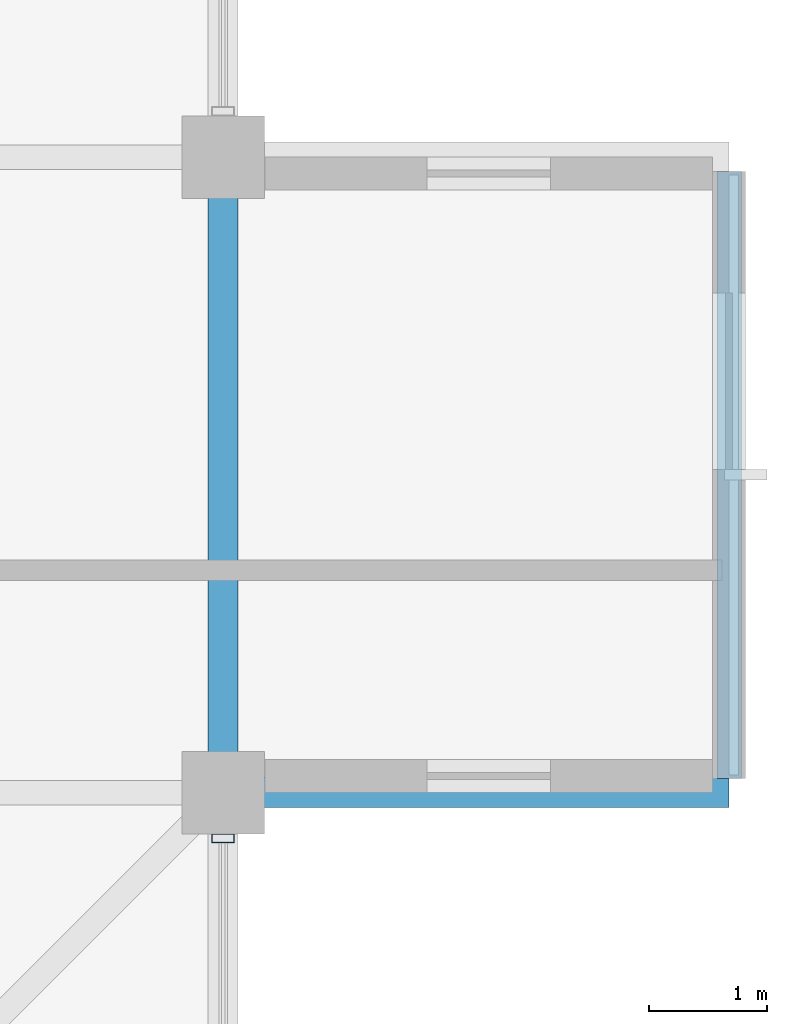
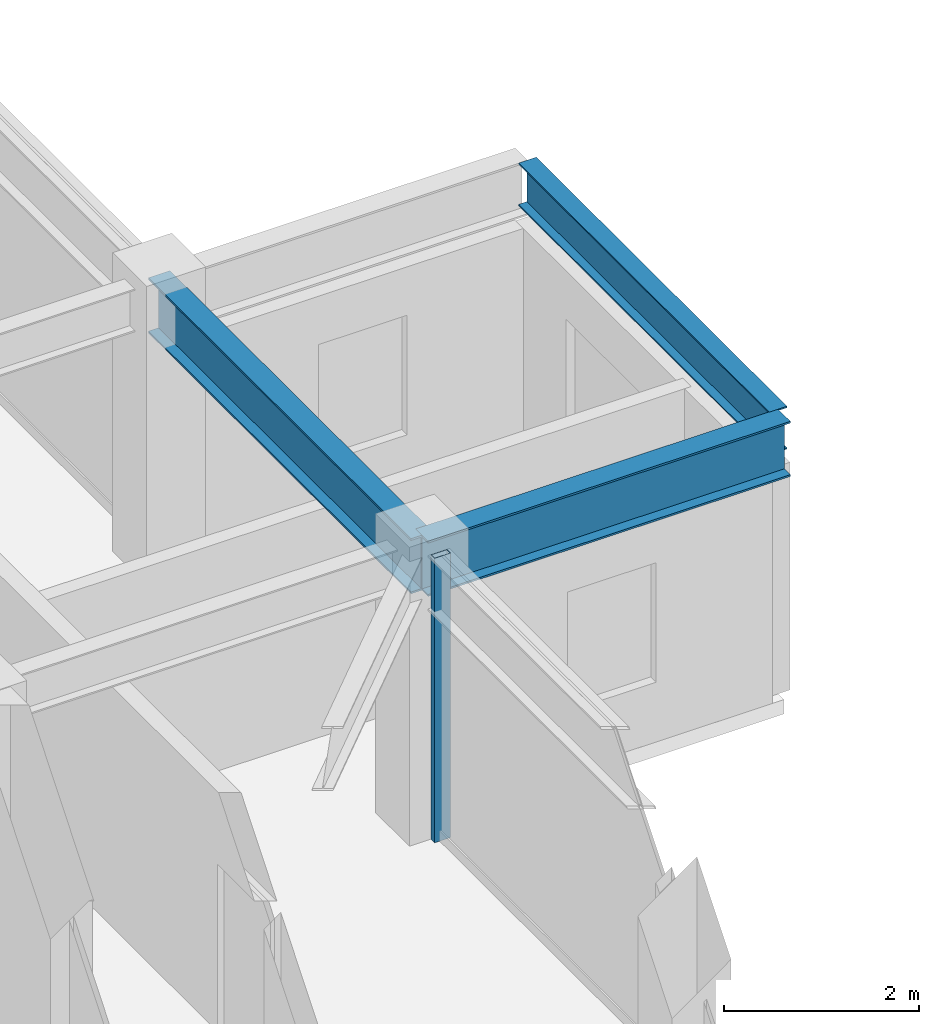
# One storey, part 12 of 31: 3 beams, 1 member, 1 element without a shape of its own.
"""IFC4 building model written with IfcOpenShell, lengths in metres."""

import ifcopenshell
import ifcopenshell.guid

model = None  # the IFC model being written
_history = None  # IfcOwnerHistory: only IFC2X3 demands one
_inside = {}  # id of a spatial element -> (the spatial element, [elements in it])
_under = {}  # id of a project, library or spatial element -> (it, [spatial elements below it])
_declared = {}  # id of a project -> (the project, [libraries it declares])
_typed = {}  # id of a type object -> (the type object, [elements of that type])
_made_of = {}  # id of a material, layer set ... -> (it, [elements and type objects made of it])


def new_model(schema):
    """Start an empty IFC model of exactly this schema.

    Asked for "IFC4X3", IfcOpenShell would pick the latest addendum, in which some entities
    have other attributes; the version numbers below select the first issue.
    IFC2X3 requires an IfcOwnerHistory on every rooted entity: one is made here for all.
    """
    global model, _history
    if schema == "IFC4X3":
        model = ifcopenshell.file(schema_version=(4, 3, 0, 0))
    else:
        model = ifcopenshell.file(schema=schema)
    _inside.clear()
    _under.clear()
    _declared.clear()
    _typed.clear()
    _made_of.clear()
    _history = None
    if model.schema == "IFC2X3":
        org = make("IfcOrganization", Name="unknown")
        user = make(
            "IfcPersonAndOrganization",
            ThePerson=make("IfcPerson", FamilyName="unknown"),
            TheOrganization=org,
        )
        app = make(
            "IfcApplication",
            ApplicationDeveloper=org,
            Version="unknown",
            ApplicationFullName="unknown",
            ApplicationIdentifier="unknown",
        )
        _history = make(
            "IfcOwnerHistory",
            OwningUser=user,
            OwningApplication=app,
            ChangeAction="ADDED",
            CreationDate=0,
        )
    return model


def make(cls, **values):
    """One entity of the class cls with the attributes given. An attribute that is None is left unset."""
    return model.create_entity(
        cls, **{name: value for name, value in values.items() if value is not None}
    )


def rooted(cls, **values):
    """An entity with a GlobalId (a new one), such as an element, a storey or a relation."""
    return make(cls, GlobalId=ifcopenshell.guid.new(), OwnerHistory=_history, **values)


def si_unit(unit_type, name, prefix=None):
    """IfcSIUnit, for example si_unit("LENGTHUNIT", "METRE", prefix="MILLI")."""
    return make("IfcSIUnit", UnitType=unit_type, Prefix=prefix, Name=name)


def assignment(units):
    """IfcUnitAssignment: the units of a project."""
    return None if units is None else make("IfcUnitAssignment", Units=units)


def point(xyz):
    """IfcCartesianPoint."""
    return None if xyz is None else make("IfcCartesianPoint", Coordinates=xyz)


def direction(xyz):
    """IfcDirection."""
    return None if xyz is None else make("IfcDirection", DirectionRatios=xyz)


def frame(location, z_axis=None, x_axis=None):
    """IfcAxis2Placement3D, a coordinate frame: its origin and axes. An axis left out is left unset."""
    return make(
        "IfcAxis2Placement3D",
        Location=point(location),
        Axis=direction(z_axis),
        RefDirection=direction(x_axis),
    )


def frame_2d(location, x_axis=None):
    """IfcAxis2Placement2D, a coordinate frame in the plane: its origin and x axis."""
    return make(
        "IfcAxis2Placement2D", Location=point(location), RefDirection=direction(x_axis)
    )


def origin():
    """The frame at (0, 0, 0) with its axes left unset."""
    return frame((0.0, 0.0, 0.0))


def origin_2d():
    """The frame at (0, 0) in the plane with its x axis left unset."""
    return frame_2d((0.0, 0.0))


def place(relative_to, where):
    """IfcLocalPlacement: puts the frame where relative to a parent placement (None: the world)."""
    return make(
        "IfcLocalPlacement", PlacementRelTo=relative_to, RelativePlacement=where
    )


def context(
    kind, dimensions, precision=None, world=None, true_north=None, identifier=None
):
    """IfcGeometricRepresentationContext, for example the 3D "Model" context."""
    return make(
        "IfcGeometricRepresentationContext",
        ContextIdentifier=identifier,
        ContextType=kind,
        CoordinateSpaceDimension=dimensions,
        Precision=precision,
        WorldCoordinateSystem=world,
        TrueNorth=true_north,
    )


def subcontext(parent, identifier, kind, view, scale=None):
    """IfcGeometricRepresentationSubContext, for example "Body" below "Model"."""
    return make(
        "IfcGeometricRepresentationSubContext",
        ContextIdentifier=identifier,
        ContextType=kind,
        ParentContext=parent,
        TargetScale=scale,
        TargetView=view,
    )


def project(units=None, contexts=None):
    """IfcProject with its units and contexts."""
    return rooted(
        "IfcProject",
        Name="project",
        RepresentationContexts=contexts,
        UnitsInContext=assignment(units),
    )


def spatial(cls, under=None, at=None, **own):
    """A site, building, storey or space (cls), placed at a placement, below another one or the project."""
    s = rooted(cls, ObjectPlacement=at, **own)
    if under is not None:
        _under.setdefault(under.id(), (under, []))[1].append(s)
    return s


def profile(cls, at=None, kind="AREA", **sizes):
    """A parametric profile (cls). Its sizes go by their IFC names, for example OverallWidth=200.0."""
    return make(cls, ProfileType=kind, Position=at, **sizes)


def hollow_rectangle(**sizes):
    """IfcRectangleHollowProfileDef."""
    return profile("IfcRectangleHollowProfileDef", **sizes)


def i_section(**sizes):
    """IfcIShapeProfileDef."""
    return profile("IfcIShapeProfileDef", **sizes)


def extrude(swept, where, along, depth):
    """IfcExtrudedAreaSolid: the profile swept, set in the frame where, extruded along a direction by depth."""
    return make(
        "IfcExtrudedAreaSolid",
        SweptArea=swept,
        Position=where,
        ExtrudedDirection=direction(along),
        Depth=depth,
    )


def shape(context_of_items, identifier, shape_type, items):
    """IfcShapeRepresentation: the items that make up one representation, for example the "Body"."""
    return make(
        "IfcShapeRepresentation",
        ContextOfItems=context_of_items,
        RepresentationIdentifier=identifier,
        RepresentationType=shape_type,
        Items=items,
    )


def material(Name=None, Category=None):
    """IfcMaterial."""
    return make("IfcMaterial", Name=Name, Category=Category)


def layer(
    of_material, thickness, ventilated=None, Name=None, Category=None, Priority=None
):
    """IfcMaterialLayer: one layer of a wall or slab, of a material (None: an air gap)."""
    return make(
        "IfcMaterialLayer",
        Material=of_material,
        LayerThickness=thickness,
        IsVentilated=ventilated,
        Name=Name,
        Category=Category,
        Priority=Priority,
    )


def layer_set(layers, Name=None):
    """IfcMaterialLayerSet."""
    return make("IfcMaterialLayerSet", MaterialLayers=layers, LayerSetName=Name)


def material_profile(
    of_material, cross_section, Name=None, Category=None, Priority=None
):
    """IfcMaterialProfile: a cross section and its material."""
    return make(
        "IfcMaterialProfile",
        Name=Name,
        Material=of_material,
        Profile=cross_section,
        Priority=Priority,
        Category=Category,
    )


def profile_set(profiles, Name=None, composite=None):
    """IfcMaterialProfileSet."""
    return make(
        "IfcMaterialProfileSet",
        Name=Name,
        MaterialProfiles=profiles,
        CompositeProfile=composite,
    )


def made_of(thing, what):
    """Note that an element or type object is made of a material, layer set ...; save() writes the relation."""
    if what is not None:
        _made_of.setdefault(what.id(), (what, []))[1].append(thing)
    return thing


def type_object(cls, material=None, **own):
    """A type object (cls), such as IfcWallType, which elements share."""
    return made_of(rooted(cls, **own), material)


def element(
    cls,
    number,
    at=None,
    inside=None,
    cuts=None,
    type_object=None,
    material=None,
    context=None,
    identifier="Body",
    shape_type=None,
    held_by="IfcProductDefinitionShape",
    body=None,
    shapes=None,
    **own,
):
    """One element of the class cls, such as IfcWall. Its Tag is "e" and its number.

    at: its placement. inside: the storey or other place that contains it. cuts: it is an
    opening in that element (IfcRelVoidsElement). A single representation is given by context,
    identifier, shape_type and body (its items); several are given by shapes. held_by: the class
    of the entity that holds the representations. save() writes the other relations.
    """
    e = rooted(cls, Tag="e%d" % number, ObjectPlacement=at, **own)
    if body is not None:
        shapes = [shape(context, identifier, shape_type, body)]
    if shapes is not None:
        e.Representation = make(held_by, Representations=shapes)
    if inside is not None:
        _inside.setdefault(inside.id(), (inside, []))[1].append(e)
    if cuts is not None:
        rooted(
            "IfcRelVoidsElement", RelatingBuildingElement=cuts, RelatedOpeningElement=e
        )
    if type_object is not None:
        _typed.setdefault(type_object.id(), (type_object, []))[1].append(e)
    return made_of(e, material)


def aggregate(whole, parts):
    """IfcRelAggregates: a whole, such as a stair, and the parts it consists of."""
    return rooted("IfcRelAggregates", RelatingObject=whole, RelatedObjects=parts)


def save(model, path):
    """Write the relations noted so far, then the file.

    IfcRelAggregates (storeys below a building ...), IfcRelContainedInSpatialStructure (elements
    in a storey), IfcRelDefinesByType, IfcRelAssociatesMaterial and IfcRelDeclares: one each for
    every whole, place, type object, material and project.
    """
    for whole, parts in _under.values():
        aggregate(whole, parts)
    for where, things in _inside.values():
        rooted(
            "IfcRelContainedInSpatialStructure",
            RelatedElements=things,
            RelatingStructure=where,
        )
    for kind, things in _typed.values():
        rooted("IfcRelDefinesByType", RelatedObjects=things, RelatingType=kind)
    for what, things in _made_of.values():
        rooted("IfcRelAssociatesMaterial", RelatedObjects=things, RelatingMaterial=what)
    for by, libraries in _declared.values():
        rooted("IfcRelDeclares", RelatingContext=by, RelatedDefinitions=libraries)
    model.write(path)


model = new_model("IFC4")

# Units and contexts
model_context = context("Model", 3, precision=1e-05, world=origin(), true_north=direction((0.0, 1.0)))
body_context = subcontext(model_context, "Body", "Model", "MODEL_VIEW")
ifc_project = project(units=[si_unit("LENGTHUNIT", "METRE"), si_unit("AREAUNIT", "SQUARE_METRE"), si_unit("VOLUMEUNIT", "CUBIC_METRE"), si_unit("PLANEANGLEUNIT", "RADIAN"), si_unit("MASSUNIT", "GRAM", prefix="KILO")], contexts=[model_context])

# Site, building, storey
site_placement = place(None, origin())
site = spatial("IfcSite", under=ifc_project, at=site_placement, CompositionType="ELEMENT")
building_placement = place(site_placement, origin())
building = spatial("IfcBuilding", under=site, at=building_placement, Name="Surkhivell Harbour Commons", CompositionType="ELEMENT")
storey_placement = place(building_placement, frame((0.0, 0.0, 266.25)))
storey = spatial("IfcBuildingStorey", under=building, at=storey_placement, Name="L69", CompositionType="ELEMENT", Elevation=266.25)

# Beams
ifc_material_1 = material(Name="Steel S460", Category="steel")
ifc_material_profile_1 = material_profile(ifc_material_1, i_section(OverallWidth=0.256103515625, OverallDepth=0.693115234375, WebThickness=0.014404296875, FlangeThickness=0.023681640625, at=origin_2d()), Name="UB686x254x170")
ifc_profile_set_1 = profile_set([ifc_material_profile_1], Name="Steel S460")
beam_type_1 = type_object("IfcBeamType", Name="BM-CNT-686", PredefinedType="BEAM", material=ifc_profile_set_1)
beam_1_placement = place(storey_placement, frame((16.199951171875, 5.39990234375, 3.223388671875), z_axis=(1.0, 0.0, 0.0), x_axis=(0.0, 1.0, 0.0)))
element("IfcBeam", 1, at=beam_1_placement, inside=storey, type_object=beam_type_1, Name="L69 Box Cantilever Outrigger (16.2,5.4)", PredefinedType="BEAM", context=body_context, shape_type="SweptSolid", body=[
    extrude(i_section(OverallWidth=0.256103515625, OverallDepth=0.693115234375, WebThickness=0.014404296875, FlangeThickness=0.023681640625, at=origin_2d()), origin(), (0.0, 0.0, 1.0), 4.300048828125),
])
ifc_material_2 = material(Name="Steel S355", Category="steel")
ifc_material_profile_2 = material_profile(ifc_material_2, i_section(OverallWidth=0.2099609375, OverallDepth=0.537109375, WebThickness=0.0107421875, FlangeThickness=0.017333984375, at=origin_2d()), Name="UB533x210x101")
ifc_profile_set_2 = profile_set([ifc_material_profile_2], Name="Steel S355")
beam_type_2 = type_object("IfcBeamType", Name="BM-GRD-533B", PredefinedType="BEAM", material=ifc_profile_set_2)
beam_2_placement = place(storey_placement, frame((20.5, 5.52197265625, 3.301513671875), z_axis=(0.0, 1.0, 0.0), x_axis=(-1.0, 0.0, 0.0)))
element("IfcBeam", 2, at=beam_2_placement, inside=storey, type_object=beam_type_2, Name="L69 Box Rim Spandrel (20.5,5.4)", PredefinedType="BEAM", context=body_context, shape_type="SweptSolid", body=[
    extrude(i_section(OverallWidth=0.2099609375, OverallDepth=0.537109375, WebThickness=0.0107421875, FlangeThickness=0.017333984375, at=origin_2d()), origin(), (0.0, 0.0, 1.0), 5.156005859375),
])
ifc_material_profile_3 = material_profile(ifc_material_2, i_section(OverallWidth=0.256103515625, OverallDepth=0.693115234375, WebThickness=0.014404296875, FlangeThickness=0.023681640625, at=origin_2d()), Name="UB686x254x170")
ifc_profile_set_3 = profile_set([ifc_material_profile_3], Name="Steel S355")
beam_type_3 = type_object("IfcBeamType", Name="BM-SPN-686", PredefinedType="SPANDREL", material=ifc_profile_set_3)
beam_3_placement = place(storey_placement, frame((16.199951171875, 5.39990234375, 3.223388671875), z_axis=(0.0, 1.0, 0.0), x_axis=(-1.0, 0.0, 0.0)))
element("IfcBeam", 3, at=beam_3_placement, inside=storey, type_object=beam_type_3, Name="L69 Tube Spandrel (16.2,5.4)", PredefinedType="SPANDREL", context=body_context, shape_type="SweptSolid", body=[
    extrude(i_section(OverallWidth=0.256103515625, OverallDepth=0.693115234375, WebThickness=0.014404296875, FlangeThickness=0.023681640625, at=origin_2d()), origin(), (0.0, 0.0, 1.0), 5.400146484375),
])

# Curtain wall, member
ifc_material_3 = material(Name="Anodised pale-metal aluminium and insulated glazing", Category="aluminium")
ifc_layer = layer(ifc_material_3, 0.175048828125)
ifc_layer_set = layer_set([ifc_layer], Name="Anodised pale-metal aluminium and insulated glazing")
curtain_wall_type = type_object("IfcCurtainWallType", Name="CW-SYS-Z4", PredefinedType="NOTDEFINED", material=ifc_layer_set)
curtain_wall_placement = place(storey_placement, origin())
curtain_wall = element("IfcCurtainWall", 4, at=curtain_wall_placement, inside=storey, type_object=curtain_wall_type, Name="L69 Curtain Wall CW-L69-E02R1", PredefinedType="NOTDEFINED")
ifc_material_4 = material(Name="Anodised pale-metal aluminium alloy 6063-T6", Category="aluminium")
ifc_material_profile_4 = material_profile(ifc_material_4, hollow_rectangle(XDim=0.074951171875, YDim=0.18994140625, WallThickness=0.00390625, at=origin_2d()), Name="ALU-MULL-75x190")
ifc_profile_set_4 = profile_set([ifc_material_profile_4], Name="Anodised pale-metal aluminium alloy 6063-T6")
member_type = type_object("IfcMemberType", Name="CWM-190", PredefinedType="MULLION", material=ifc_profile_set_4)
member_placement = place(storey_placement, frame((16.199951171875, 5.010498046875, 0.0), z_axis=(0.0, 0.0, 1.0), x_axis=(0.0, 1.0, 0.0)))
member = element("IfcMember", 5, at=member_placement, type_object=member_type, Name="CW-Z4 mullion 3", PredefinedType="MULLION", context=body_context, shape_type="SweptSolid", body=[
    extrude(hollow_rectangle(XDim=0.074951171875, YDim=0.18994140625, WallThickness=0.00390625, at=origin_2d()), origin(), (0.0, 0.0, 1.0), 3.570068359375),
])
aggregate(curtain_wall, [member])

save(model, "model.ifc")
